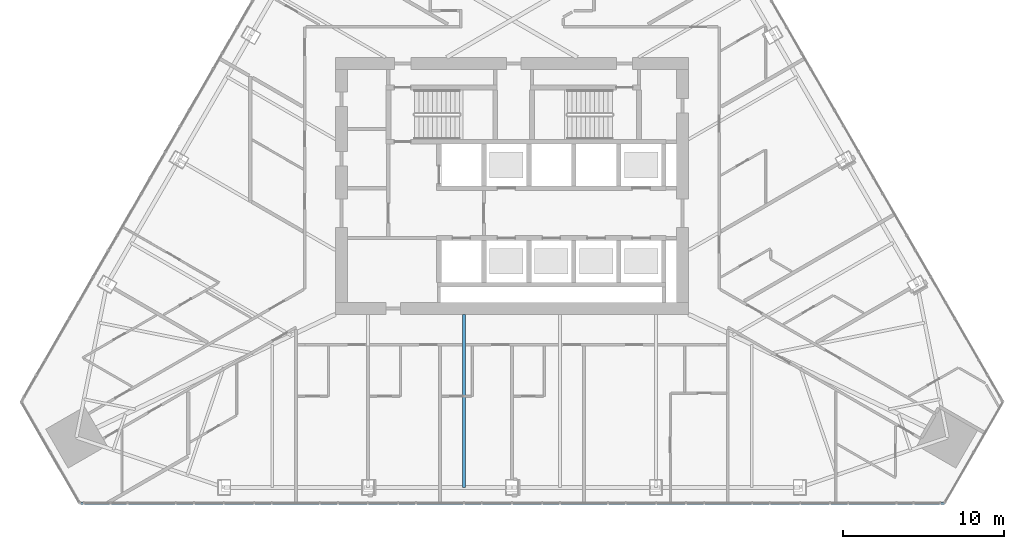
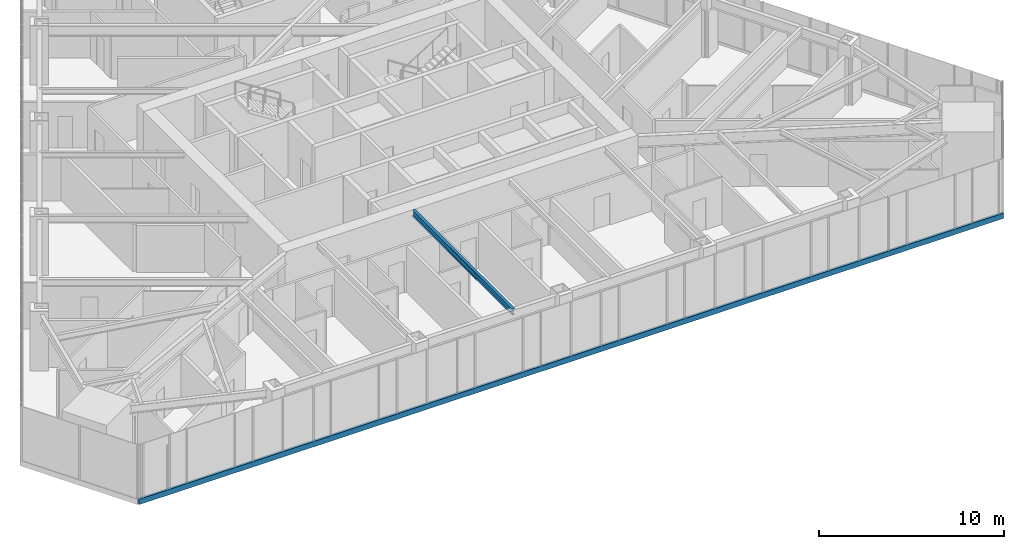
# One storey, part 3 of 26: 1 beam, 1 member, 1 element without a shape of its own.
"""IFC4 building model written with IfcOpenShell, lengths in metres."""

from ifc_helpers import new_model, si_unit, direction, frame, origin, origin_2d, place, context, subcontext, project, spatial, rectangle, i_section, extrude, material, layer, layer_set, material_profile, profile_set, type_object, element, aggregate, save


model = new_model("IFC4")

# Units and contexts
model_context = context("Model", 3, precision=1e-05, world=origin(), true_north=direction((0.0, 1.0)))
body_context = subcontext(model_context, "Body", "Model", "MODEL_VIEW")
ifc_project = project(units=[si_unit("LENGTHUNIT", "METRE"), si_unit("AREAUNIT", "SQUARE_METRE"), si_unit("VOLUMEUNIT", "CUBIC_METRE"), si_unit("PLANEANGLEUNIT", "RADIAN"), si_unit("MASSUNIT", "GRAM", prefix="KILO")], contexts=[model_context])

# Site, building, storey
site_placement = place(None, origin())
site = spatial("IfcSite", under=ifc_project, at=site_placement, CompositionType="ELEMENT")
building_placement = place(site_placement, origin())
building = spatial("IfcBuilding", under=site, at=building_placement, Name="Firuza Gate Tower and Library", CompositionType="ELEMENT")
storey_placement = place(building_placement, frame((0.0, 0.0, 175.300048828125)))
storey = spatial("IfcBuildingStorey", under=building, at=storey_placement, Name="L40", CompositionType="ELEMENT", Elevation=175.300048828125)

# Curtain wall, member
ifc_material_1 = material(Name="Aluminium 6063-T6", Category="aluminium")
ifc_layer = layer(ifc_material_1, 0.14990234375)
ifc_layer_set = layer_set([ifc_layer], Name="Unitised curtain wall, hotel")
curtain_wall_type = type_object("IfcCurtainWallType", Name="Unitised curtain wall, hotel", PredefinedType="NOTDEFINED", material=ifc_layer_set)
curtain_wall_placement = place(storey_placement, origin())
curtain_wall = element("IfcCurtainWall", 1, at=curtain_wall_placement, inside=storey, type_object=curtain_wall_type, Name="CW2 L40 S face", PredefinedType="NOTDEFINED")
ifc_material_2 = material(Name="Aluminium 6063-T6", Category="aluminium")
ifc_material_profile_1 = material_profile(ifc_material_2, rectangle(XDim=0.14990234375, YDim=0.35009765625, at=origin_2d()))
ifc_profile_set_1 = profile_set([ifc_material_profile_1], Name="Aluminium 6063-T6")
member_type = type_object("IfcMemberType", Name="Curtain wall transom 350x150", PredefinedType="USERDEFINED", material=ifc_profile_set_1)
member_placement = place(storey_placement, frame((48.07080078125, 55.24560546875, -0.025146484375), z_axis=(1.0, 0.0, 0.0), x_axis=(0.0, 1.0, 0.0)))
member = element("IfcMember", 2, at=member_placement, type_object=member_type, Name="Transom", ObjectType="TRANSOM", PredefinedType="USERDEFINED", context=body_context, shape_type="SweptSolid", body=[
    extrude(rectangle(XDim=0.14990234375, YDim=0.35009765625, at=origin_2d()), origin(), (0.0, 0.0, 1.0), 53.8583984375),
])
aggregate(curtain_wall, [member])

# Beam
ifc_material_3 = material(Name="Steel S355", Category="steel")
ifc_material_profile_2 = material_profile(ifc_material_3, i_section(OverallWidth=0.177978515625, OverallDepth=0.406982421875, WebThickness=0.0078125, FlangeThickness=0.0126953125, at=origin_2d()))
ifc_profile_set_2 = profile_set([ifc_material_profile_2], Name="Steel S355")
beam_type = type_object("IfcBeamType", Name="W410x60 Floor beam", PredefinedType="JOIST", material=ifc_profile_set_2)
beam_placement = place(storey_placement, frame((72.0126953125, 56.220458984375, 3.496337890625), z_axis=(0.0, 1.0, 0.0), x_axis=(-1.0, 0.0, 0.0)))
element("IfcBeam", 3, at=beam_placement, inside=storey, type_object=beam_type, Name="Floor beam L40 s22", PredefinedType="JOIST", context=body_context, shape_type="SweptSolid", body=[
    extrude(i_section(OverallWidth=0.177978515625, OverallDepth=0.406982421875, WebThickness=0.0078125, FlangeThickness=0.0126953125, at=origin_2d()), origin(), (0.0, 0.0, 1.0), 10.779541015625),
])

save(model, "model.ifc")
